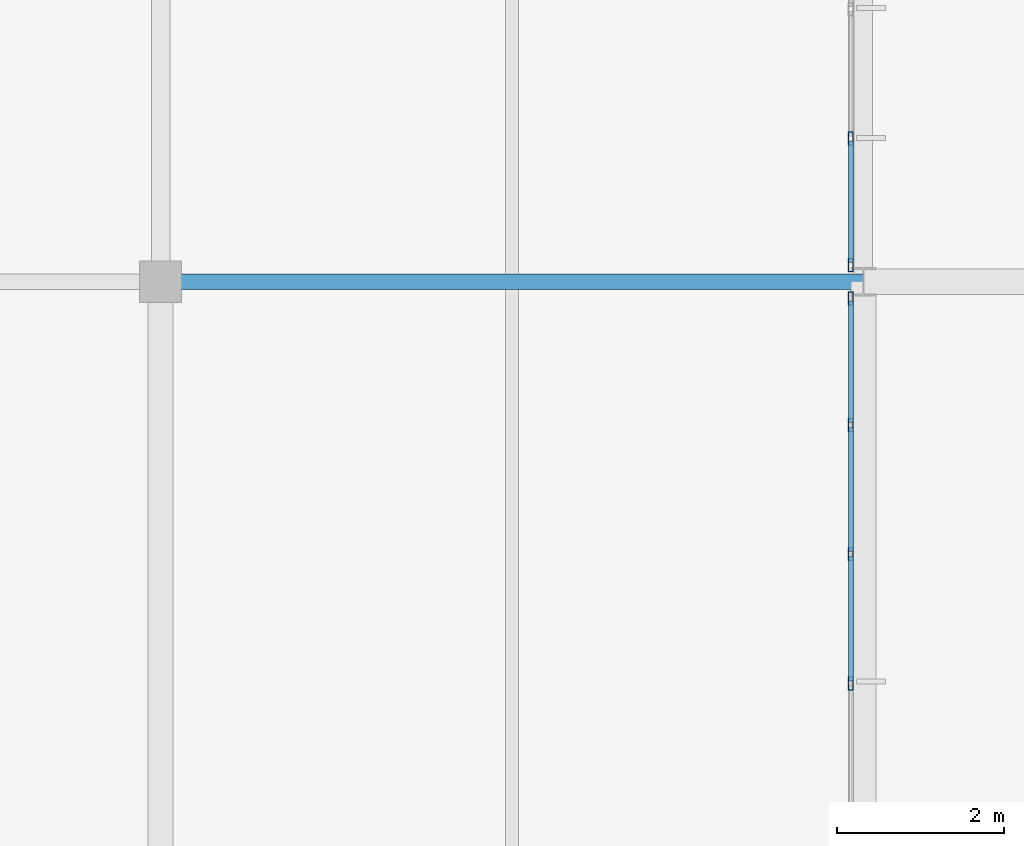
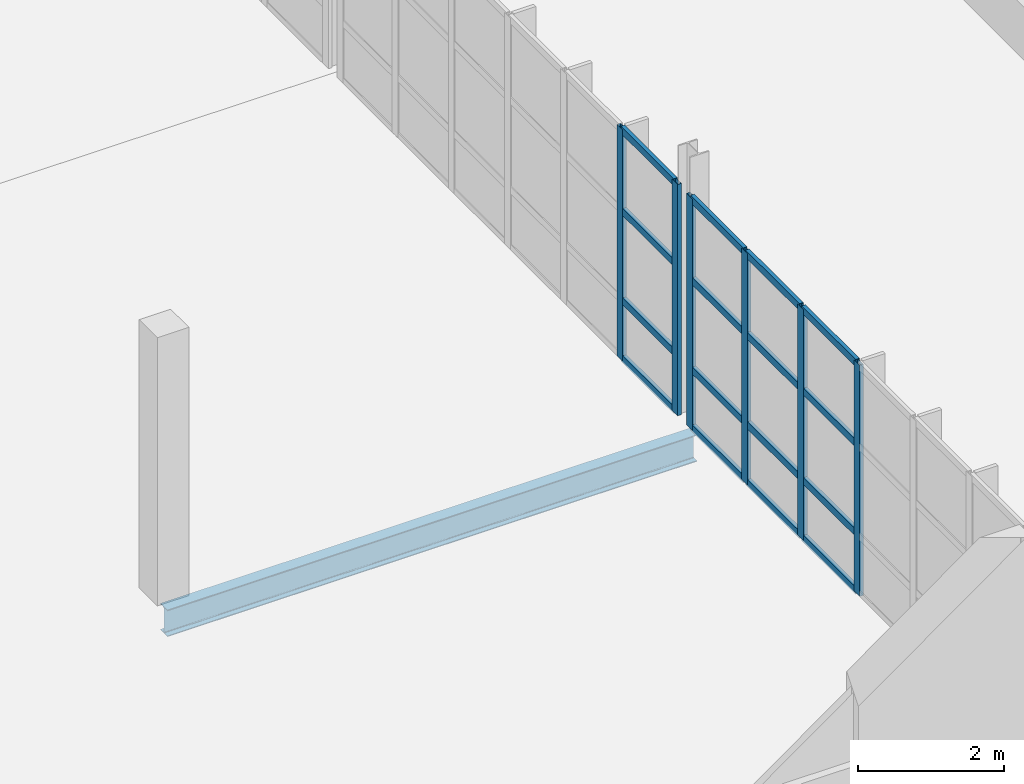
# One storey, part 72 of 103: 22 members, 1 beam, 2 elements without a shape of their own.
"""IFC4 building model written with IfcOpenShell, lengths in metres."""

from ifc_helpers import new_model, si_unit, direction, frame, origin, origin_2d, place, context, subcontext, project, spatial, hollow_rectangle, i_section, extrude, material, material_profile, profile_set, type_object, element, aggregate, save


model = new_model("IFC4")

# Units and contexts
model_context = context("Model", 3, precision=1e-05, world=origin(), true_north=direction((0.0, 1.0)))
body_context = subcontext(model_context, "Body", "Model", "MODEL_VIEW")
ifc_project = project(units=[si_unit("LENGTHUNIT", "METRE"), si_unit("AREAUNIT", "SQUARE_METRE"), si_unit("VOLUMEUNIT", "CUBIC_METRE"), si_unit("PLANEANGLEUNIT", "RADIAN"), si_unit("MASSUNIT", "GRAM", prefix="KILO")], contexts=[model_context])

# Site, building, storey
site_placement = place(None, origin())
site = spatial("IfcSite", under=ifc_project, at=site_placement, CompositionType="ELEMENT")
building_placement = place(site_placement, origin())
building = spatial("IfcBuilding", under=site, at=building_placement, Name="Veltarok Museum of Natural Sciences", CompositionType="ELEMENT")
storey_placement = place(building_placement, frame((0.0, 0.0, 21.89990234375)))
storey = spatial("IfcBuildingStorey", under=building, at=storey_placement, Name="L04", CompositionType="ELEMENT", Elevation=21.89990234375)

# Curtain wall, members
ifc_material_1 = material(Name="Low-iron triple insulated glass", Category="glass")
curtain_wall_type_1 = type_object("IfcCurtainWallType", Name="Curtain Wall System CW-V5E-L04-A-926x388 (V5 East Lab L04 A-B 926x388cm)", PredefinedType="NOTDEFINED", material=ifc_material_1)
curtain_wall_1_placement = place(storey_placement, origin())
curtain_wall_1 = element("IfcCurtainWall", 1, at=curtain_wall_1_placement, inside=storey, type_object=curtain_wall_type_1, Name="Curtain Wall CW-V5E-L04-A-926x388 CW-0120", PredefinedType="NOTDEFINED")
ifc_material_2 = material(Name="Thermally broken anodised aluminium", Category="aluminium")
ifc_material_profile_1 = material_profile(ifc_material_2, hollow_rectangle(XDim=0.06005859375, YDim=0.1201171875, WallThickness=0.0048828125, at=origin_2d()), Name="CW TRANSOM 60x120x5")
ifc_profile_set_1 = profile_set([ifc_material_profile_1], Name="Thermally broken anodised aluminium")
member_type_1 = type_object("IfcMemberType", Name="Curtain Wall Horizontal Transom 60x120x5", PredefinedType="USERDEFINED", material=ifc_profile_set_1)
member_1_placement = place(storey_placement, frame((149.050048828125, 4.830078125, 0.030029296875), z_axis=(0.0, 1.0, 0.0), x_axis=(-1.0, 0.0, 0.0)))
member_1 = element("IfcMember", 2, at=member_1_placement, type_object=member_type_1, Name="CW-V5E-L04-A-926x388 transom 4.1", ObjectType="TRANSOM", PredefinedType="USERDEFINED", context=body_context, shape_type="SweptSolid", body=[
    extrude(hollow_rectangle(XDim=0.06005859375, YDim=0.1201171875, WallThickness=0.0048828125, at=origin_2d()), origin(), (0.0, 0.0, 1.0), 1.483154296875),
])
member_2_placement = place(storey_placement, frame((149.050048828125, 4.830078125, 1.0), z_axis=(0.0, 1.0, 0.0), x_axis=(-1.0, 0.0, 0.0)))
member_2 = element("IfcMember", 3, at=member_2_placement, type_object=member_type_1, Name="CW-V5E-L04-A-926x388 transom 4.2", ObjectType="TRANSOM", PredefinedType="USERDEFINED", context=body_context, shape_type="SweptSolid", body=[
    extrude(hollow_rectangle(XDim=0.06005859375, YDim=0.1201171875, WallThickness=0.0048828125, at=origin_2d()), origin(), (0.0, 0.0, 1.0), 1.483154296875),
])
member_3_placement = place(storey_placement, frame((149.050048828125, 4.830078125, 2.5), z_axis=(0.0, 1.0, 0.0), x_axis=(-1.0, 0.0, 0.0)))
member_3 = element("IfcMember", 4, at=member_3_placement, type_object=member_type_1, Name="CW-V5E-L04-A-926x388 transom 4.3", ObjectType="TRANSOM", PredefinedType="USERDEFINED", context=body_context, shape_type="SweptSolid", body=[
    extrude(hollow_rectangle(XDim=0.06005859375, YDim=0.1201171875, WallThickness=0.0048828125, at=origin_2d()), origin(), (0.0, 0.0, 1.0), 1.483154296875),
])
member_4_placement = place(storey_placement, frame((149.050048828125, 4.830078125, 3.85009765625), z_axis=(0.0, 1.0, 0.0), x_axis=(-1.0, 0.0, 0.0)))
member_4 = element("IfcMember", 5, at=member_4_placement, type_object=member_type_1, Name="CW-V5E-L04-A-926x388 transom 4.4", ObjectType="TRANSOM", PredefinedType="USERDEFINED", context=body_context, shape_type="SweptSolid", body=[
    extrude(hollow_rectangle(XDim=0.06005859375, YDim=0.1201171875, WallThickness=0.0048828125, at=origin_2d()), origin(), (0.0, 0.0, 1.0), 1.483154296875),
])
member_5_placement = place(storey_placement, frame((149.050048828125, 6.373291015625, 0.030029296875), z_axis=(0.0, 1.0, 0.0), x_axis=(-1.0, 0.0, 0.0)))
member_5 = element("IfcMember", 6, at=member_5_placement, type_object=member_type_1, Name="CW-V5E-L04-A-926x388 transom 5.1", ObjectType="TRANSOM", PredefinedType="USERDEFINED", context=body_context, shape_type="SweptSolid", body=[
    extrude(hollow_rectangle(XDim=0.06005859375, YDim=0.1201171875, WallThickness=0.0048828125, at=origin_2d()), origin(), (0.0, 0.0, 1.0), 1.4833984375),
])
member_6_placement = place(storey_placement, frame((149.050048828125, 6.373291015625, 1.0), z_axis=(0.0, 1.0, 0.0), x_axis=(-1.0, 0.0, 0.0)))
member_6 = element("IfcMember", 7, at=member_6_placement, type_object=member_type_1, Name="CW-V5E-L04-A-926x388 transom 5.2", ObjectType="TRANSOM", PredefinedType="USERDEFINED", context=body_context, shape_type="SweptSolid", body=[
    extrude(hollow_rectangle(XDim=0.06005859375, YDim=0.1201171875, WallThickness=0.0048828125, at=origin_2d()), origin(), (0.0, 0.0, 1.0), 1.4833984375),
])
member_7_placement = place(storey_placement, frame((149.050048828125, 6.373291015625, 2.5), z_axis=(0.0, 1.0, 0.0), x_axis=(-1.0, 0.0, 0.0)))
member_7 = element("IfcMember", 8, at=member_7_placement, type_object=member_type_1, Name="CW-V5E-L04-A-926x388 transom 5.3", ObjectType="TRANSOM", PredefinedType="USERDEFINED", context=body_context, shape_type="SweptSolid", body=[
    extrude(hollow_rectangle(XDim=0.06005859375, YDim=0.1201171875, WallThickness=0.0048828125, at=origin_2d()), origin(), (0.0, 0.0, 1.0), 1.4833984375),
])
member_8_placement = place(storey_placement, frame((149.050048828125, 6.373291015625, 3.85009765625), z_axis=(0.0, 1.0, 0.0), x_axis=(-1.0, 0.0, 0.0)))
member_8 = element("IfcMember", 9, at=member_8_placement, type_object=member_type_1, Name="CW-V5E-L04-A-926x388 transom 5.4", ObjectType="TRANSOM", PredefinedType="USERDEFINED", context=body_context, shape_type="SweptSolid", body=[
    extrude(hollow_rectangle(XDim=0.06005859375, YDim=0.1201171875, WallThickness=0.0048828125, at=origin_2d()), origin(), (0.0, 0.0, 1.0), 1.4833984375),
])
member_9_placement = place(storey_placement, frame((149.050048828125, 7.916748046875, 0.030029296875), z_axis=(0.0, 1.0, 0.0), x_axis=(-1.0, 0.0, 0.0)))
member_9 = element("IfcMember", 10, at=member_9_placement, type_object=member_type_1, Name="CW-V5E-L04-A-926x388 transom 6.1", ObjectType="TRANSOM", PredefinedType="USERDEFINED", context=body_context, shape_type="SweptSolid", body=[
    extrude(hollow_rectangle(XDim=0.06005859375, YDim=0.1201171875, WallThickness=0.0048828125, at=origin_2d()), origin(), (0.0, 0.0, 1.0), 1.453369140625),
])
member_10_placement = place(storey_placement, frame((149.050048828125, 7.916748046875, 1.0), z_axis=(0.0, 1.0, 0.0), x_axis=(-1.0, 0.0, 0.0)))
member_10 = element("IfcMember", 11, at=member_10_placement, type_object=member_type_1, Name="CW-V5E-L04-A-926x388 transom 6.2", ObjectType="TRANSOM", PredefinedType="USERDEFINED", context=body_context, shape_type="SweptSolid", body=[
    extrude(hollow_rectangle(XDim=0.06005859375, YDim=0.1201171875, WallThickness=0.0048828125, at=origin_2d()), origin(), (0.0, 0.0, 1.0), 1.453369140625),
])
member_11_placement = place(storey_placement, frame((149.050048828125, 7.916748046875, 2.5), z_axis=(0.0, 1.0, 0.0), x_axis=(-1.0, 0.0, 0.0)))
member_11 = element("IfcMember", 12, at=member_11_placement, type_object=member_type_1, Name="CW-V5E-L04-A-926x388 transom 6.3", ObjectType="TRANSOM", PredefinedType="USERDEFINED", context=body_context, shape_type="SweptSolid", body=[
    extrude(hollow_rectangle(XDim=0.06005859375, YDim=0.1201171875, WallThickness=0.0048828125, at=origin_2d()), origin(), (0.0, 0.0, 1.0), 1.453369140625),
])
member_12_placement = place(storey_placement, frame((149.050048828125, 7.916748046875, 3.85009765625), z_axis=(0.0, 1.0, 0.0), x_axis=(-1.0, 0.0, 0.0)))
member_12 = element("IfcMember", 13, at=member_12_placement, type_object=member_type_1, Name="CW-V5E-L04-A-926x388 transom 6.4", ObjectType="TRANSOM", PredefinedType="USERDEFINED", context=body_context, shape_type="SweptSolid", body=[
    extrude(hollow_rectangle(XDim=0.06005859375, YDim=0.1201171875, WallThickness=0.0048828125, at=origin_2d()), origin(), (0.0, 0.0, 1.0), 1.453369140625),
])

curtain_wall_type_2 = type_object("IfcCurtainWallType", Name="Curtain Wall System CW-V5E-L04-B-926x388 (V5 East Lab L04 B-C 926x388cm)", PredefinedType="NOTDEFINED", material=ifc_material_1)
curtain_wall_2_placement = place(storey_placement, origin())
curtain_wall_2 = element("IfcCurtainWall", 14, at=curtain_wall_2_placement, inside=storey, type_object=curtain_wall_type_2, Name="Curtain Wall CW-V5E-L04-B-926x388 CW-0121", PredefinedType="NOTDEFINED")
member_13_placement = place(storey_placement, frame((149.050048828125, 9.830078125, 0.030029296875), z_axis=(0.0, 1.0, 0.0), x_axis=(-1.0, 0.0, 0.0)))
member_13 = element("IfcMember", 15, at=member_13_placement, type_object=member_type_1, Name="CW-V5E-L04-B-926x388 transom 1.1", ObjectType="TRANSOM", PredefinedType="USERDEFINED", context=body_context, shape_type="SweptSolid", body=[
    extrude(hollow_rectangle(XDim=0.06005859375, YDim=0.1201171875, WallThickness=0.0048828125, at=origin_2d()), origin(), (0.0, 0.0, 1.0), 1.453369140625),
])
member_14_placement = place(storey_placement, frame((149.050048828125, 9.830078125, 1.0), z_axis=(0.0, 1.0, 0.0), x_axis=(-1.0, 0.0, 0.0)))
member_14 = element("IfcMember", 16, at=member_14_placement, type_object=member_type_1, Name="CW-V5E-L04-B-926x388 transom 1.2", ObjectType="TRANSOM", PredefinedType="USERDEFINED", context=body_context, shape_type="SweptSolid", body=[
    extrude(hollow_rectangle(XDim=0.06005859375, YDim=0.1201171875, WallThickness=0.0048828125, at=origin_2d()), origin(), (0.0, 0.0, 1.0), 1.453369140625),
])
member_15_placement = place(storey_placement, frame((149.050048828125, 9.830078125, 2.5), z_axis=(0.0, 1.0, 0.0), x_axis=(-1.0, 0.0, 0.0)))
member_15 = element("IfcMember", 17, at=member_15_placement, type_object=member_type_1, Name="CW-V5E-L04-B-926x388 transom 1.3", ObjectType="TRANSOM", PredefinedType="USERDEFINED", context=body_context, shape_type="SweptSolid", body=[
    extrude(hollow_rectangle(XDim=0.06005859375, YDim=0.1201171875, WallThickness=0.0048828125, at=origin_2d()), origin(), (0.0, 0.0, 1.0), 1.453369140625),
])
member_16_placement = place(storey_placement, frame((149.050048828125, 9.830078125, 3.85009765625), z_axis=(0.0, 1.0, 0.0), x_axis=(-1.0, 0.0, 0.0)))
member_16 = element("IfcMember", 18, at=member_16_placement, type_object=member_type_1, Name="CW-V5E-L04-B-926x388 transom 1.4", ObjectType="TRANSOM", PredefinedType="USERDEFINED", context=body_context, shape_type="SweptSolid", body=[
    extrude(hollow_rectangle(XDim=0.06005859375, YDim=0.1201171875, WallThickness=0.0048828125, at=origin_2d()), origin(), (0.0, 0.0, 1.0), 1.453369140625),
])

# Member
ifc_material_profile_2 = material_profile(ifc_material_2, hollow_rectangle(XDim=0.06005859375, YDim=0.159912109375, WallThickness=0.0048828125, at=origin_2d()), Name="CW MULLION 60x160x5")
ifc_profile_set_2 = profile_set([ifc_material_profile_2], Name="Thermally broken anodised aluminium")
member_type_2 = type_object("IfcMemberType", Name="Curtain Wall Vertical Mullion 60x160x5", PredefinedType="MULLION", material=ifc_profile_set_2)
member_17_placement = place(storey_placement, frame((149.050048828125, 4.800048828125, 0.0), z_axis=(0.0, 0.0, 1.0), x_axis=(-1.0, 0.0, 0.0)))
member_17 = element("IfcMember", 19, at=member_17_placement, type_object=member_type_2, Name="CW-V5E-L04-A-926x388 mullion 4", PredefinedType="MULLION", context=body_context, shape_type="SweptSolid", body=[
    extrude(hollow_rectangle(XDim=0.06005859375, YDim=0.159912109375, WallThickness=0.0048828125, at=origin_2d()), origin(), (0.0, 0.0, 1.0), 3.880126953125),
])

member_18_placement = place(storey_placement, frame((149.050048828125, 6.34326171875, 0.0), z_axis=(0.0, 0.0, 1.0), x_axis=(-1.0, 0.0, 0.0)))
member_18 = element("IfcMember", 20, at=member_18_placement, type_object=member_type_2, Name="CW-V5E-L04-A-926x388 mullion 5", PredefinedType="MULLION", context=body_context, shape_type="SweptSolid", body=[
    extrude(hollow_rectangle(XDim=0.06005859375, YDim=0.159912109375, WallThickness=0.0048828125, at=origin_2d()), origin(), (0.0, 0.0, 1.0), 3.880126953125),
])

member_19_placement = place(storey_placement, frame((149.050048828125, 7.88671875, 0.0), z_axis=(0.0, 0.0, 1.0), x_axis=(-1.0, 0.0, 0.0)))
member_19 = element("IfcMember", 21, at=member_19_placement, type_object=member_type_2, Name="CW-V5E-L04-A-926x388 mullion 6", PredefinedType="MULLION", context=body_context, shape_type="SweptSolid", body=[
    extrude(hollow_rectangle(XDim=0.06005859375, YDim=0.159912109375, WallThickness=0.0048828125, at=origin_2d()), origin(), (0.0, 0.0, 1.0), 3.880126953125),
])

member_20_placement = place(storey_placement, frame((149.050048828125, 9.39990234375, 0.0), z_axis=(0.0, 0.0, 1.0), x_axis=(-1.0, 0.0, 0.0)))
member_20 = element("IfcMember", 22, at=member_20_placement, type_object=member_type_2, Name="CW-V5E-L04-A-926x388 mullion 7", PredefinedType="MULLION", context=body_context, shape_type="SweptSolid", body=[
    extrude(hollow_rectangle(XDim=0.06005859375, YDim=0.159912109375, WallThickness=0.0048828125, at=origin_2d()), origin(), (0.0, 0.0, 1.0), 3.880126953125),
])

aggregate(curtain_wall_1, [member_17, member_18, member_19, member_20, member_1, member_2, member_3, member_4, member_5, member_6, member_7, member_8, member_9, member_10, member_11, member_12])

member_21_placement = place(storey_placement, frame((149.050048828125, 9.800048828125, 0.0), z_axis=(0.0, 0.0, 1.0), x_axis=(-1.0, 0.0, 0.0)))
member_21 = element("IfcMember", 23, at=member_21_placement, type_object=member_type_2, Name="CW-V5E-L04-B-926x388 mullion 1", PredefinedType="MULLION", context=body_context, shape_type="SweptSolid", body=[
    extrude(hollow_rectangle(XDim=0.06005859375, YDim=0.159912109375, WallThickness=0.0048828125, at=origin_2d()), origin(), (0.0, 0.0, 1.0), 3.880126953125),
])

member_22_placement = place(storey_placement, frame((149.050048828125, 11.313232421875, 0.0), z_axis=(0.0, 0.0, 1.0), x_axis=(-1.0, 0.0, 0.0)))
member_22 = element("IfcMember", 24, at=member_22_placement, type_object=member_type_2, Name="CW-V5E-L04-B-926x388 mullion 2", PredefinedType="MULLION", context=body_context, shape_type="SweptSolid", body=[
    extrude(hollow_rectangle(XDim=0.06005859375, YDim=0.159912109375, WallThickness=0.0048828125, at=origin_2d()), origin(), (0.0, 0.0, 1.0), 3.880126953125),
])

aggregate(curtain_wall_2, [member_21, member_22, member_13, member_14, member_15, member_16])

# Beam
ifc_material_3 = material(Name="Steel S355J2", Category="steel")
ifc_material_profile_3 = material_profile(ifc_material_3, i_section(OverallWidth=0.18994140625, OverallDepth=0.449951171875, WebThickness=0.009521484375, FlangeThickness=0.0146484375, FilletRadius=0.02099609375, at=origin_2d()), Name="IPE 450")
ifc_profile_set_3 = profile_set([ifc_material_profile_3], Name="Steel S355J2")
beam_type = type_object("IfcBeamType", Name="Laboratory Floor Girder IPE 450", PredefinedType="BEAM", material=ifc_profile_set_3)
beam_placement = place(storey_placement, frame((140.800048828125, 9.60009765625, -0.474853515625), z_axis=(1.0, 0.0, 0.0), x_axis=(0.0, 1.0, 0.0)))
element("IfcBeam", 25, at=beam_placement, inside=storey, type_object=beam_type, Name="Beam BM-G05 L04 17-18/B", PredefinedType="BEAM", context=body_context, shape_type="SweptSolid", body=[
    extrude(i_section(OverallWidth=0.18994140625, OverallDepth=0.449951171875, WebThickness=0.009521484375, FlangeThickness=0.0146484375, FilletRadius=0.02099609375, at=origin_2d()), origin(), (0.0, 0.0, 1.0), 8.39990234375),
])

save(model, "model.ifc")
